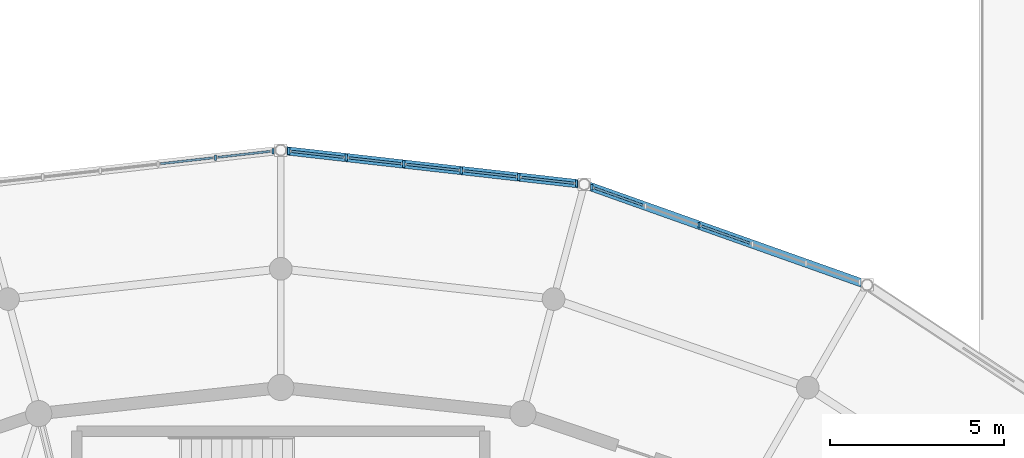
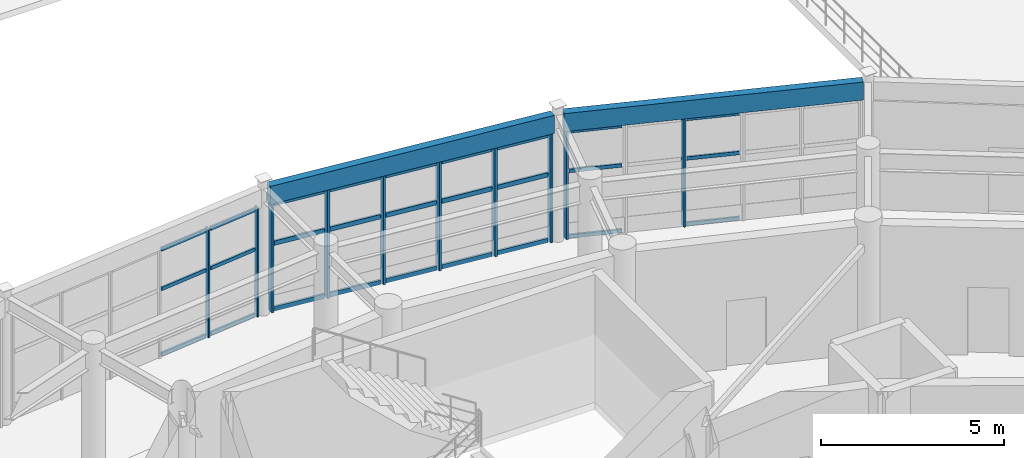
# One storey, part 24 of 60: 37 members, 2 beams, 3 elements without a shape of their own.
"""IFC4 building model written with IfcOpenShell, lengths in metres."""

import ifcopenshell
import ifcopenshell.guid

model = None  # the IFC model being written
_history = None  # IfcOwnerHistory: only IFC2X3 demands one
_inside = {}  # id of a spatial element -> (the spatial element, [elements in it])
_under = {}  # id of a project, library or spatial element -> (it, [spatial elements below it])
_declared = {}  # id of a project -> (the project, [libraries it declares])
_typed = {}  # id of a type object -> (the type object, [elements of that type])
_made_of = {}  # id of a material, layer set ... -> (it, [elements and type objects made of it])


def new_model(schema):
    """Start an empty IFC model of exactly this schema.

    Asked for "IFC4X3", IfcOpenShell would pick the latest addendum, in which some entities
    have other attributes; the version numbers below select the first issue.
    IFC2X3 requires an IfcOwnerHistory on every rooted entity: one is made here for all.
    """
    global model, _history
    if schema == "IFC4X3":
        model = ifcopenshell.file(schema_version=(4, 3, 0, 0))
    else:
        model = ifcopenshell.file(schema=schema)
    _inside.clear()
    _under.clear()
    _declared.clear()
    _typed.clear()
    _made_of.clear()
    _history = None
    if model.schema == "IFC2X3":
        org = make("IfcOrganization", Name="unknown")
        user = make(
            "IfcPersonAndOrganization",
            ThePerson=make("IfcPerson", FamilyName="unknown"),
            TheOrganization=org,
        )
        app = make(
            "IfcApplication",
            ApplicationDeveloper=org,
            Version="unknown",
            ApplicationFullName="unknown",
            ApplicationIdentifier="unknown",
        )
        _history = make(
            "IfcOwnerHistory",
            OwningUser=user,
            OwningApplication=app,
            ChangeAction="ADDED",
            CreationDate=0,
        )
    return model


def make(cls, **values):
    """One entity of the class cls with the attributes given. An attribute that is None is left unset."""
    return model.create_entity(
        cls, **{name: value for name, value in values.items() if value is not None}
    )


def rooted(cls, **values):
    """An entity with a GlobalId (a new one), such as an element, a storey or a relation."""
    return make(cls, GlobalId=ifcopenshell.guid.new(), OwnerHistory=_history, **values)


def si_unit(unit_type, name, prefix=None):
    """IfcSIUnit, for example si_unit("LENGTHUNIT", "METRE", prefix="MILLI")."""
    return make("IfcSIUnit", UnitType=unit_type, Prefix=prefix, Name=name)


def assignment(units):
    """IfcUnitAssignment: the units of a project."""
    return None if units is None else make("IfcUnitAssignment", Units=units)


def point(xyz):
    """IfcCartesianPoint."""
    return None if xyz is None else make("IfcCartesianPoint", Coordinates=xyz)


def direction(xyz):
    """IfcDirection."""
    return None if xyz is None else make("IfcDirection", DirectionRatios=xyz)


def frame(location, z_axis=None, x_axis=None):
    """IfcAxis2Placement3D, a coordinate frame: its origin and axes. An axis left out is left unset."""
    return make(
        "IfcAxis2Placement3D",
        Location=point(location),
        Axis=direction(z_axis),
        RefDirection=direction(x_axis),
    )


def frame_2d(location, x_axis=None):
    """IfcAxis2Placement2D, a coordinate frame in the plane: its origin and x axis."""
    return make(
        "IfcAxis2Placement2D", Location=point(location), RefDirection=direction(x_axis)
    )


def origin():
    """The frame at (0, 0, 0) with its axes left unset."""
    return frame((0.0, 0.0, 0.0))


def origin_2d():
    """The frame at (0, 0) in the plane with its x axis left unset."""
    return frame_2d((0.0, 0.0))


def place(relative_to, where):
    """IfcLocalPlacement: puts the frame where relative to a parent placement (None: the world)."""
    return make(
        "IfcLocalPlacement", PlacementRelTo=relative_to, RelativePlacement=where
    )


def context(
    kind, dimensions, precision=None, world=None, true_north=None, identifier=None
):
    """IfcGeometricRepresentationContext, for example the 3D "Model" context."""
    return make(
        "IfcGeometricRepresentationContext",
        ContextIdentifier=identifier,
        ContextType=kind,
        CoordinateSpaceDimension=dimensions,
        Precision=precision,
        WorldCoordinateSystem=world,
        TrueNorth=true_north,
    )


def subcontext(parent, identifier, kind, view, scale=None):
    """IfcGeometricRepresentationSubContext, for example "Body" below "Model"."""
    return make(
        "IfcGeometricRepresentationSubContext",
        ContextIdentifier=identifier,
        ContextType=kind,
        ParentContext=parent,
        TargetScale=scale,
        TargetView=view,
    )


def project(units=None, contexts=None):
    """IfcProject with its units and contexts."""
    return rooted(
        "IfcProject",
        Name="project",
        RepresentationContexts=contexts,
        UnitsInContext=assignment(units),
    )


def spatial(cls, under=None, at=None, **own):
    """A site, building, storey or space (cls), placed at a placement, below another one or the project."""
    s = rooted(cls, ObjectPlacement=at, **own)
    if under is not None:
        _under.setdefault(under.id(), (under, []))[1].append(s)
    return s


def profile(cls, at=None, kind="AREA", **sizes):
    """A parametric profile (cls). Its sizes go by their IFC names, for example OverallWidth=200.0."""
    return make(cls, ProfileType=kind, Position=at, **sizes)


def rectangle(**sizes):
    """IfcRectangleProfileDef."""
    return profile("IfcRectangleProfileDef", **sizes)


def extrude(swept, where, along, depth):
    """IfcExtrudedAreaSolid: the profile swept, set in the frame where, extruded along a direction by depth."""
    return make(
        "IfcExtrudedAreaSolid",
        SweptArea=swept,
        Position=where,
        ExtrudedDirection=direction(along),
        Depth=depth,
    )


def shape(context_of_items, identifier, shape_type, items):
    """IfcShapeRepresentation: the items that make up one representation, for example the "Body"."""
    return make(
        "IfcShapeRepresentation",
        ContextOfItems=context_of_items,
        RepresentationIdentifier=identifier,
        RepresentationType=shape_type,
        Items=items,
    )


def material(Name=None, Category=None):
    """IfcMaterial."""
    return make("IfcMaterial", Name=Name, Category=Category)


def material_profile(
    of_material, cross_section, Name=None, Category=None, Priority=None
):
    """IfcMaterialProfile: a cross section and its material."""
    return make(
        "IfcMaterialProfile",
        Name=Name,
        Material=of_material,
        Profile=cross_section,
        Priority=Priority,
        Category=Category,
    )


def profile_set(profiles, Name=None, composite=None):
    """IfcMaterialProfileSet."""
    return make(
        "IfcMaterialProfileSet",
        Name=Name,
        MaterialProfiles=profiles,
        CompositeProfile=composite,
    )


def made_of(thing, what):
    """Note that an element or type object is made of a material, layer set ...; save() writes the relation."""
    if what is not None:
        _made_of.setdefault(what.id(), (what, []))[1].append(thing)
    return thing


def type_object(cls, material=None, **own):
    """A type object (cls), such as IfcWallType, which elements share."""
    return made_of(rooted(cls, **own), material)


def element(
    cls,
    number,
    at=None,
    inside=None,
    cuts=None,
    type_object=None,
    material=None,
    context=None,
    identifier="Body",
    shape_type=None,
    held_by="IfcProductDefinitionShape",
    body=None,
    shapes=None,
    **own,
):
    """One element of the class cls, such as IfcWall. Its Tag is "e" and its number.

    at: its placement. inside: the storey or other place that contains it. cuts: it is an
    opening in that element (IfcRelVoidsElement). A single representation is given by context,
    identifier, shape_type and body (its items); several are given by shapes. held_by: the class
    of the entity that holds the representations. save() writes the other relations.
    """
    e = rooted(cls, Tag="e%d" % number, ObjectPlacement=at, **own)
    if body is not None:
        shapes = [shape(context, identifier, shape_type, body)]
    if shapes is not None:
        e.Representation = make(held_by, Representations=shapes)
    if inside is not None:
        _inside.setdefault(inside.id(), (inside, []))[1].append(e)
    if cuts is not None:
        rooted(
            "IfcRelVoidsElement", RelatingBuildingElement=cuts, RelatedOpeningElement=e
        )
    if type_object is not None:
        _typed.setdefault(type_object.id(), (type_object, []))[1].append(e)
    return made_of(e, material)


def aggregate(whole, parts):
    """IfcRelAggregates: a whole, such as a stair, and the parts it consists of."""
    return rooted("IfcRelAggregates", RelatingObject=whole, RelatedObjects=parts)


def save(model, path):
    """Write the relations noted so far, then the file.

    IfcRelAggregates (storeys below a building ...), IfcRelContainedInSpatialStructure (elements
    in a storey), IfcRelDefinesByType, IfcRelAssociatesMaterial and IfcRelDeclares: one each for
    every whole, place, type object, material and project.
    """
    for whole, parts in _under.values():
        aggregate(whole, parts)
    for where, things in _inside.values():
        rooted(
            "IfcRelContainedInSpatialStructure",
            RelatedElements=things,
            RelatingStructure=where,
        )
    for kind, things in _typed.values():
        rooted("IfcRelDefinesByType", RelatedObjects=things, RelatingType=kind)
    for what, things in _made_of.values():
        rooted("IfcRelAssociatesMaterial", RelatedObjects=things, RelatingMaterial=what)
    for by, libraries in _declared.values():
        rooted("IfcRelDeclares", RelatingContext=by, RelatedDefinitions=libraries)
    model.write(path)


model = new_model("IFC4")

# Units and contexts
model_context = context("Model", 3, precision=1e-05, world=origin(), true_north=direction((0.0, 1.0)))
body_context = subcontext(model_context, "Body", "Model", "MODEL_VIEW")
ifc_project = project(units=[si_unit("LENGTHUNIT", "METRE"), si_unit("AREAUNIT", "SQUARE_METRE"), si_unit("VOLUMEUNIT", "CUBIC_METRE"), si_unit("PLANEANGLEUNIT", "RADIAN"), si_unit("MASSUNIT", "GRAM", prefix="KILO")], contexts=[model_context])

# Site, building, storey
site_placement = place(None, origin())
site = spatial("IfcSite", under=ifc_project, at=site_placement, CompositionType="ELEMENT")
building_placement = place(site_placement, origin())
building = spatial("IfcBuilding", under=site, at=building_placement, Name="Cinderbank Siding Concert Hall", CompositionType="ELEMENT")
storey_placement = place(building_placement, frame((0.0, 0.0, 14.699951171875)))
storey = spatial("IfcBuildingStorey", under=building, at=storey_placement, Name="L04", CompositionType="ELEMENT", Elevation=14.699951171875)

# Curtain wall, members
ifc_material_1 = material(Name="Anodised aluminium alloy 6063-T6", Category="aluminium")
curtain_wall_type_1 = type_object("IfcCurtainWallType", Name="CW-05 Unitised Acoustic Curtain Wall 8200x3800", PredefinedType="NOTDEFINED", material=ifc_material_1)
curtain_wall_1_placement = place(storey_placement, origin())
curtain_wall_1 = element("IfcCurtainWall", 1, at=curtain_wall_1_placement, inside=storey, type_object=curtain_wall_type_1, Name="L04 Curtain Wall CW-05 #52", PredefinedType="NOTDEFINED")
ifc_material_profile_1 = material_profile(ifc_material_1, rectangle(XDim=0.06005859375, YDim=0.159912109375, at=origin_2d()), Name="ALU-MULL-60x160", Category="LoadBearing")
ifc_profile_set_1 = profile_set([ifc_material_profile_1], Name="Anodised aluminium alloy 6063-T6")
member_type_1 = type_object("IfcMemberType", Name="CW-ML1 Mullion 60x160", PredefinedType="MULLION", material=ifc_profile_set_1)
member_1_placement = place(storey_placement, frame((133.980712890625, 70.652587890625, 0.0), z_axis=(0.0, 0.0, 1.0), x_axis=(1.0, 0.0, 0.0)))
member_1 = element("IfcMember", 2, at=member_1_placement, type_object=member_type_1, Name="CW-L04-052 Mullion 3", PredefinedType="MULLION", context=body_context, shape_type="SweptSolid", body=[
    extrude(rectangle(XDim=0.06005859375, YDim=0.159912109375, at=origin_2d()), origin(), (0.0, 0.0, 1.0), 3.616943359375),
])
member_2_placement = place(storey_placement, frame((130.91015625, 71.742919921875, 0.0), z_axis=(0.0, 0.0, 1.0), x_axis=(1.0, 0.0, 0.0)))
member_2 = element("IfcMember", 3, at=member_2_placement, type_object=member_type_1, Name="CW-L04-052 Mullion 5", PredefinedType="MULLION", context=body_context, shape_type="SweptSolid", body=[
    extrude(rectangle(XDim=0.06005859375, YDim=0.159912109375, at=origin_2d()), origin(), (0.0, 0.0, 1.0), 3.616943359375),
])

curtain_wall_type_2 = type_object("IfcCurtainWallType", Name="CW-07 Unitised Acoustic Curtain Wall 7000x3800", PredefinedType="NOTDEFINED", material=ifc_material_1)
curtain_wall_2_placement = place(storey_placement, origin())
curtain_wall_2 = element("IfcCurtainWall", 4, at=curtain_wall_2_placement, inside=storey, type_object=curtain_wall_type_2, Name="L04 Curtain Wall CW-07 #54", PredefinedType="NOTDEFINED")
member_3_placement = place(storey_placement, frame((121.7744140625, 72.774658203125, 0.0), z_axis=(0.0, 0.0, 1.0), x_axis=(1.0, 0.0, 0.0)))
member_3 = element("IfcMember", 5, at=member_3_placement, type_object=member_type_1, Name="CW-L04-054 Mullion 0", PredefinedType="MULLION", context=body_context, shape_type="SweptSolid", body=[
    extrude(rectangle(XDim=0.06005859375, YDim=0.159912109375, at=origin_2d()), origin(), (0.0, 0.0, 1.0), 3.616943359375),
])
member_4_placement = place(storey_placement, frame((120.12548828125, 72.58837890625, 0.0), z_axis=(0.0, 0.0, 1.0), x_axis=(1.0, 0.0, 0.0)))
member_4 = element("IfcMember", 6, at=member_4_placement, type_object=member_type_1, Name="CW-L04-054 Mullion 1", PredefinedType="MULLION", context=body_context, shape_type="SweptSolid", body=[
    extrude(rectangle(XDim=0.06005859375, YDim=0.159912109375, at=origin_2d()), origin(), (0.0, 0.0, 1.0), 3.616943359375),
])

curtain_wall_type_3 = type_object("IfcCurtainWallType", Name="CW-06 Unitised Acoustic Curtain Wall 7600x3800", PredefinedType="NOTDEFINED", material=ifc_material_1)
curtain_wall_3_placement = place(storey_placement, origin())
curtain_wall_3 = element("IfcCurtainWall", 7, at=curtain_wall_3_placement, inside=storey, type_object=curtain_wall_type_3, Name="L04 Curtain Wall CW-06 #53", PredefinedType="NOTDEFINED")
ifc_material_profile_2 = material_profile(ifc_material_1, rectangle(XDim=0.06494140625, YDim=0.199951171875, at=origin_2d()), Name="ALU-MULL-65x200", Category="LoadBearing")
ifc_profile_set_2 = profile_set([ifc_material_profile_2], Name="Anodised aluminium alloy 6063-T6")
member_type_2 = type_object("IfcMemberType", Name="CW-ML2 Mullion 65x200", PredefinedType="MULLION", material=ifc_profile_set_2)
member_5_placement = place(storey_placement, frame((130.470703125, 71.843994140625, 0.0), z_axis=(0.0, 0.0, 1.0), x_axis=(1.0, 0.0, 0.0)))
member_5 = element("IfcMember", 8, at=member_5_placement, type_object=member_type_2, Name="CW-L04-053 Mullion 0", PredefinedType="MULLION", context=body_context, shape_type="SweptSolid", body=[
    extrude(rectangle(XDim=0.06494140625, YDim=0.199951171875, at=origin_2d()), origin(), (0.0, 0.0, 1.0), 3.616943359375),
])
member_6_placement = place(storey_placement, frame((128.82177734375, 72.0302734375, 0.0), z_axis=(0.0, 0.0, 1.0), x_axis=(1.0, 0.0, 0.0)))
member_6 = element("IfcMember", 9, at=member_6_placement, type_object=member_type_2, Name="CW-L04-053 Mullion 1", PredefinedType="MULLION", context=body_context, shape_type="SweptSolid", body=[
    extrude(rectangle(XDim=0.06494140625, YDim=0.199951171875, at=origin_2d()), origin(), (0.0, 0.0, 1.0), 3.616943359375),
])
member_7_placement = place(storey_placement, frame((127.172607421875, 72.21630859375, 0.0), z_axis=(0.0, 0.0, 1.0), x_axis=(1.0, 0.0, 0.0)))
member_7 = element("IfcMember", 10, at=member_7_placement, type_object=member_type_2, Name="CW-L04-053 Mullion 2", PredefinedType="MULLION", context=body_context, shape_type="SweptSolid", body=[
    extrude(rectangle(XDim=0.06494140625, YDim=0.199951171875, at=origin_2d()), origin(), (0.0, 0.0, 1.0), 3.616943359375),
])
member_8_placement = place(storey_placement, frame((125.523681640625, 72.40234375, 0.0), z_axis=(0.0, 0.0, 1.0), x_axis=(1.0, 0.0, 0.0)))
member_8 = element("IfcMember", 11, at=member_8_placement, type_object=member_type_2, Name="CW-L04-053 Mullion 3", PredefinedType="MULLION", context=body_context, shape_type="SweptSolid", body=[
    extrude(rectangle(XDim=0.06494140625, YDim=0.199951171875, at=origin_2d()), origin(), (0.0, 0.0, 1.0), 3.616943359375),
])
member_9_placement = place(storey_placement, frame((123.87451171875, 72.58837890625, 0.0), z_axis=(0.0, 0.0, 1.0), x_axis=(1.0, 0.0, 0.0)))
member_9 = element("IfcMember", 12, at=member_9_placement, type_object=member_type_2, Name="CW-L04-053 Mullion 4", PredefinedType="MULLION", context=body_context, shape_type="SweptSolid", body=[
    extrude(rectangle(XDim=0.06494140625, YDim=0.199951171875, at=origin_2d()), origin(), (0.0, 0.0, 1.0), 3.616943359375),
])
member_10_placement = place(storey_placement, frame((122.2255859375, 72.774658203125, 0.0), z_axis=(0.0, 0.0, 1.0), x_axis=(1.0, 0.0, 0.0)))
member_10 = element("IfcMember", 13, at=member_10_placement, type_object=member_type_2, Name="CW-L04-053 Mullion 5", PredefinedType="MULLION", context=body_context, shape_type="SweptSolid", body=[
    extrude(rectangle(XDim=0.06494140625, YDim=0.199951171875, at=origin_2d()), origin(), (0.0, 0.0, 1.0), 3.616943359375),
])

# Member
ifc_material_profile_3 = material_profile(ifc_material_1, rectangle(XDim=0.06005859375, YDim=0.1201171875, at=origin_2d()), Name="ALU-TRAN-60x120", Category="LoadBearing")
ifc_profile_set_3 = profile_set([ifc_material_profile_3], Name="Anodised aluminium alloy 6063-T6")
member_type_3 = type_object("IfcMemberType", Name="CW-TR1 Transom 60x120", PredefinedType="USERDEFINED", material=ifc_profile_set_3)
member_11_placement = place(storey_placement, frame((135.43896484375, 70.134765625, 0.06005859375), z_axis=(-0.942324434865, 0.334700850694, 0.0), x_axis=(-0.334700850694, -0.942324434865, 0.0)))
member_11 = element("IfcMember", 14, at=member_11_placement, type_object=member_type_3, Name="CW-L04-052 Transom 2-0", ObjectType="TRANSOM", PredefinedType="USERDEFINED", context=body_context, shape_type="SweptSolid", body=[
    extrude(rectangle(XDim=0.06005859375, YDim=0.1201171875, at=origin_2d()), origin(), (0.0, 0.0, 1.0), 1.466064453125),
])

member_12_placement = place(storey_placement, frame((135.43896484375, 70.134765625, 2.242431640625), z_axis=(-0.942324434865, 0.334700850694, 0.0), x_axis=(-0.334700850694, -0.942324434865, 0.0)))
member_12 = element("IfcMember", 15, at=member_12_placement, type_object=member_type_3, Name="CW-L04-052 Transom 2-1", ObjectType="TRANSOM", PredefinedType="USERDEFINED", context=body_context, shape_type="SweptSolid", body=[
    extrude(rectangle(XDim=0.06005859375, YDim=0.1201171875, at=origin_2d()), origin(), (0.0, 0.0, 1.0), 1.466064453125),
])

member_13_placement = place(storey_placement, frame((135.43896484375, 70.134765625, 3.55712890625), z_axis=(-0.942324434865, 0.334700850694, 0.0), x_axis=(-0.334700850694, -0.942324434865, 0.0)))
member_13 = element("IfcMember", 16, at=member_13_placement, type_object=member_type_3, Name="CW-L04-052 Transom 2-2", ObjectType="TRANSOM", PredefinedType="USERDEFINED", context=body_context, shape_type="SweptSolid", body=[
    extrude(rectangle(XDim=0.06005859375, YDim=0.1201171875, at=origin_2d()), origin(), (0.0, 0.0, 1.0), 1.466064453125),
])

member_14_placement = place(storey_placement, frame((132.36865234375, 71.22509765625, 0.06005859375), z_axis=(-0.942395579657, 0.334500480482, 0.0), x_axis=(-0.334500480482, -0.942395579657, 0.0)))
member_14 = element("IfcMember", 17, at=member_14_placement, type_object=member_type_3, Name="CW-L04-052 Transom 4-0", ObjectType="TRANSOM", PredefinedType="USERDEFINED", context=body_context, shape_type="SweptSolid", body=[
    extrude(rectangle(XDim=0.06005859375, YDim=0.1201171875, at=origin_2d()), origin(), (0.0, 0.0, 1.0), 1.46630859375),
])

member_15_placement = place(storey_placement, frame((132.36865234375, 71.22509765625, 2.242431640625), z_axis=(-0.942395579657, 0.334500480482, 0.0), x_axis=(-0.334500480482, -0.942395579657, 0.0)))
member_15 = element("IfcMember", 18, at=member_15_placement, type_object=member_type_3, Name="CW-L04-052 Transom 4-1", ObjectType="TRANSOM", PredefinedType="USERDEFINED", context=body_context, shape_type="SweptSolid", body=[
    extrude(rectangle(XDim=0.06005859375, YDim=0.1201171875, at=origin_2d()), origin(), (0.0, 0.0, 1.0), 1.46630859375),
])

member_16_placement = place(storey_placement, frame((132.36865234375, 71.22509765625, 3.55712890625), z_axis=(-0.942395579657, 0.334500480482, 0.0), x_axis=(-0.334500480482, -0.942395579657, 0.0)))
member_16 = element("IfcMember", 19, at=member_16_placement, type_object=member_type_3, Name="CW-L04-052 Transom 4-2", ObjectType="TRANSOM", PredefinedType="USERDEFINED", context=body_context, shape_type="SweptSolid", body=[
    extrude(rectangle(XDim=0.06005859375, YDim=0.1201171875, at=origin_2d()), origin(), (0.0, 0.0, 1.0), 1.46630859375),
])

aggregate(curtain_wall_1, [member_1, member_2, member_11, member_12, member_13, member_14, member_15, member_16])

member_17_placement = place(storey_placement, frame((121.69189453125, 72.76513671875, 0.06005859375), z_axis=(-0.993709046729, -0.111992546398, 0.0), x_axis=(0.111992546398, -0.993709046729, 0.0)))
member_17 = element("IfcMember", 20, at=member_17_placement, type_object=member_type_3, Name="CW-L04-054 Transom 0-0", ObjectType="TRANSOM", PredefinedType="USERDEFINED", context=body_context, shape_type="SweptSolid", body=[
    extrude(rectangle(XDim=0.06005859375, YDim=0.1201171875, at=origin_2d()), origin(), (0.0, 0.0, 1.0), 1.4931640625),
])

member_18_placement = place(storey_placement, frame((121.69189453125, 72.76513671875, 2.242431640625), z_axis=(-0.993709046729, -0.111992546398, 0.0), x_axis=(0.111992546398, -0.993709046729, 0.0)))
member_18 = element("IfcMember", 21, at=member_18_placement, type_object=member_type_3, Name="CW-L04-054 Transom 0-1", ObjectType="TRANSOM", PredefinedType="USERDEFINED", context=body_context, shape_type="SweptSolid", body=[
    extrude(rectangle(XDim=0.06005859375, YDim=0.1201171875, at=origin_2d()), origin(), (0.0, 0.0, 1.0), 1.4931640625),
])

member_19_placement = place(storey_placement, frame((121.69189453125, 72.76513671875, 3.55712890625), z_axis=(-0.993709046729, -0.111992546398, 0.0), x_axis=(0.111992546398, -0.993709046729, 0.0)))
member_19 = element("IfcMember", 22, at=member_19_placement, type_object=member_type_3, Name="CW-L04-054 Transom 0-2", ObjectType="TRANSOM", PredefinedType="USERDEFINED", context=body_context, shape_type="SweptSolid", body=[
    extrude(rectangle(XDim=0.06005859375, YDim=0.1201171875, at=origin_2d()), origin(), (0.0, 0.0, 1.0), 1.4931640625),
])

member_20_placement = place(storey_placement, frame((120.04296875, 72.5791015625, 0.06005859375), z_axis=(-0.993692895122, -0.112135766747, 0.0), x_axis=(0.112135766747, -0.993692895122, 0.0)))
member_20 = element("IfcMember", 23, at=member_20_placement, type_object=member_type_3, Name="CW-L04-054 Transom 1-0", ObjectType="TRANSOM", PredefinedType="USERDEFINED", context=body_context, shape_type="SweptSolid", body=[
    extrude(rectangle(XDim=0.06005859375, YDim=0.1201171875, at=origin_2d()), origin(), (0.0, 0.0, 1.0), 1.49365234375),
])

member_21_placement = place(storey_placement, frame((120.04296875, 72.5791015625, 2.242431640625), z_axis=(-0.993692895122, -0.112135766747, 0.0), x_axis=(0.112135766747, -0.993692895122, 0.0)))
member_21 = element("IfcMember", 24, at=member_21_placement, type_object=member_type_3, Name="CW-L04-054 Transom 1-1", ObjectType="TRANSOM", PredefinedType="USERDEFINED", context=body_context, shape_type="SweptSolid", body=[
    extrude(rectangle(XDim=0.06005859375, YDim=0.1201171875, at=origin_2d()), origin(), (0.0, 0.0, 1.0), 1.49365234375),
])

member_22_placement = place(storey_placement, frame((120.04296875, 72.5791015625, 3.55712890625), z_axis=(-0.993692895122, -0.112135766747, 0.0), x_axis=(0.112135766747, -0.993692895122, 0.0)))
member_22 = element("IfcMember", 25, at=member_22_placement, type_object=member_type_3, Name="CW-L04-054 Transom 1-2", ObjectType="TRANSOM", PredefinedType="USERDEFINED", context=body_context, shape_type="SweptSolid", body=[
    extrude(rectangle(XDim=0.06005859375, YDim=0.1201171875, at=origin_2d()), origin(), (0.0, 0.0, 1.0), 1.49365234375),
])

aggregate(curtain_wall_2, [member_3, member_4, member_17, member_18, member_19, member_20, member_21, member_22])

ifc_material_profile_4 = material_profile(ifc_material_1, rectangle(XDim=0.06494140625, YDim=0.14990234375, at=origin_2d()), Name="ALU-TRAN-65x150", Category="LoadBearing")
ifc_profile_set_4 = profile_set([ifc_material_profile_4], Name="Anodised aluminium alloy 6063-T6")
member_type_4 = type_object("IfcMemberType", Name="CW-TR2 Transom 65x150", PredefinedType="USERDEFINED", material=ifc_profile_set_4)
member_23_placement = place(storey_placement, frame((130.38818359375, 71.853515625, 0.06005859375), z_axis=(-0.993690839164, 0.112153984151, 0.0), x_axis=(-0.112153984151, -0.993690839164, 0.0)))
member_23 = element("IfcMember", 26, at=member_23_placement, type_object=member_type_4, Name="CW-L04-053 Transom 0-0", ObjectType="TRANSOM", PredefinedType="USERDEFINED", context=body_context, shape_type="SweptSolid", body=[
    extrude(rectangle(XDim=0.06494140625, YDim=0.14990234375, at=origin_2d()), origin(), (0.0, 0.0, 1.0), 1.493408203125),
])

member_24_placement = place(storey_placement, frame((130.38818359375, 71.853515625, 2.242431640625), z_axis=(-0.993690839164, 0.112153984151, 0.0), x_axis=(-0.112153984151, -0.993690839164, 0.0)))
member_24 = element("IfcMember", 27, at=member_24_placement, type_object=member_type_4, Name="CW-L04-053 Transom 0-1", ObjectType="TRANSOM", PredefinedType="USERDEFINED", context=body_context, shape_type="SweptSolid", body=[
    extrude(rectangle(XDim=0.06494140625, YDim=0.14990234375, at=origin_2d()), origin(), (0.0, 0.0, 1.0), 1.493408203125),
])

member_25_placement = place(storey_placement, frame((130.38818359375, 71.853515625, 3.55712890625), z_axis=(-0.993690839164, 0.112153984151, 0.0), x_axis=(-0.112153984151, -0.993690839164, 0.0)))
member_25 = element("IfcMember", 28, at=member_25_placement, type_object=member_type_4, Name="CW-L04-053 Transom 0-2", ObjectType="TRANSOM", PredefinedType="USERDEFINED", context=body_context, shape_type="SweptSolid", body=[
    extrude(rectangle(XDim=0.06494140625, YDim=0.14990234375, at=origin_2d()), origin(), (0.0, 0.0, 1.0), 1.493408203125),
])

member_26_placement = place(storey_placement, frame((128.7392578125, 72.03955078125, 0.06005859375), z_axis=(-0.993692895122, 0.112135766747, 0.0), x_axis=(-0.112135766747, -0.993692895122, 0.0)))
member_26 = element("IfcMember", 29, at=member_26_placement, type_object=member_type_4, Name="CW-L04-053 Transom 1-0", ObjectType="TRANSOM", PredefinedType="USERDEFINED", context=body_context, shape_type="SweptSolid", body=[
    extrude(rectangle(XDim=0.06494140625, YDim=0.14990234375, at=origin_2d()), origin(), (0.0, 0.0, 1.0), 1.49365234375),
])

member_27_placement = place(storey_placement, frame((128.7392578125, 72.03955078125, 2.242431640625), z_axis=(-0.993692895122, 0.112135766747, 0.0), x_axis=(-0.112135766747, -0.993692895122, 0.0)))
member_27 = element("IfcMember", 30, at=member_27_placement, type_object=member_type_4, Name="CW-L04-053 Transom 1-1", ObjectType="TRANSOM", PredefinedType="USERDEFINED", context=body_context, shape_type="SweptSolid", body=[
    extrude(rectangle(XDim=0.06494140625, YDim=0.14990234375, at=origin_2d()), origin(), (0.0, 0.0, 1.0), 1.49365234375),
])

member_28_placement = place(storey_placement, frame((128.7392578125, 72.03955078125, 3.55712890625), z_axis=(-0.993692895122, 0.112135766747, 0.0), x_axis=(-0.112135766747, -0.993692895122, 0.0)))
member_28 = element("IfcMember", 31, at=member_28_placement, type_object=member_type_4, Name="CW-L04-053 Transom 1-2", ObjectType="TRANSOM", PredefinedType="USERDEFINED", context=body_context, shape_type="SweptSolid", body=[
    extrude(rectangle(XDim=0.06494140625, YDim=0.14990234375, at=origin_2d()), origin(), (0.0, 0.0, 1.0), 1.49365234375),
])

member_29_placement = place(storey_placement, frame((127.090087890625, 72.2255859375, 0.06005859375), z_axis=(-0.993690839164, 0.112153984151, 0.0), x_axis=(-0.112153984151, -0.993690839164, 0.0)))
member_29 = element("IfcMember", 32, at=member_29_placement, type_object=member_type_4, Name="CW-L04-053 Transom 2-0", ObjectType="TRANSOM", PredefinedType="USERDEFINED", context=body_context, shape_type="SweptSolid", body=[
    extrude(rectangle(XDim=0.06494140625, YDim=0.14990234375, at=origin_2d()), origin(), (0.0, 0.0, 1.0), 1.493408203125),
])

member_30_placement = place(storey_placement, frame((127.090087890625, 72.2255859375, 2.242431640625), z_axis=(-0.993690839164, 0.112153984151, 0.0), x_axis=(-0.112153984151, -0.993690839164, 0.0)))
member_30 = element("IfcMember", 33, at=member_30_placement, type_object=member_type_4, Name="CW-L04-053 Transom 2-1", ObjectType="TRANSOM", PredefinedType="USERDEFINED", context=body_context, shape_type="SweptSolid", body=[
    extrude(rectangle(XDim=0.06494140625, YDim=0.14990234375, at=origin_2d()), origin(), (0.0, 0.0, 1.0), 1.493408203125),
])

member_31_placement = place(storey_placement, frame((127.090087890625, 72.2255859375, 3.55712890625), z_axis=(-0.993690839164, 0.112153984151, 0.0), x_axis=(-0.112153984151, -0.993690839164, 0.0)))
member_31 = element("IfcMember", 34, at=member_31_placement, type_object=member_type_4, Name="CW-L04-053 Transom 2-2", ObjectType="TRANSOM", PredefinedType="USERDEFINED", context=body_context, shape_type="SweptSolid", body=[
    extrude(rectangle(XDim=0.06494140625, YDim=0.14990234375, at=origin_2d()), origin(), (0.0, 0.0, 1.0), 1.493408203125),
])

member_32_placement = place(storey_placement, frame((125.441162109375, 72.41162109375, 0.06005859375), z_axis=(-0.993692895122, 0.112135766747, 0.0), x_axis=(-0.112135766747, -0.993692895122, 0.0)))
member_32 = element("IfcMember", 35, at=member_32_placement, type_object=member_type_4, Name="CW-L04-053 Transom 3-0", ObjectType="TRANSOM", PredefinedType="USERDEFINED", context=body_context, shape_type="SweptSolid", body=[
    extrude(rectangle(XDim=0.06494140625, YDim=0.14990234375, at=origin_2d()), origin(), (0.0, 0.0, 1.0), 1.49365234375),
])

member_33_placement = place(storey_placement, frame((125.441162109375, 72.41162109375, 2.242431640625), z_axis=(-0.993692895122, 0.112135766747, 0.0), x_axis=(-0.112135766747, -0.993692895122, 0.0)))
member_33 = element("IfcMember", 36, at=member_33_placement, type_object=member_type_4, Name="CW-L04-053 Transom 3-1", ObjectType="TRANSOM", PredefinedType="USERDEFINED", context=body_context, shape_type="SweptSolid", body=[
    extrude(rectangle(XDim=0.06494140625, YDim=0.14990234375, at=origin_2d()), origin(), (0.0, 0.0, 1.0), 1.49365234375),
])

member_34_placement = place(storey_placement, frame((125.441162109375, 72.41162109375, 3.55712890625), z_axis=(-0.993692895122, 0.112135766747, 0.0), x_axis=(-0.112135766747, -0.993692895122, 0.0)))
member_34 = element("IfcMember", 37, at=member_34_placement, type_object=member_type_4, Name="CW-L04-053 Transom 3-2", ObjectType="TRANSOM", PredefinedType="USERDEFINED", context=body_context, shape_type="SweptSolid", body=[
    extrude(rectangle(XDim=0.06494140625, YDim=0.14990234375, at=origin_2d()), origin(), (0.0, 0.0, 1.0), 1.49365234375),
])

member_35_placement = place(storey_placement, frame((123.7919921875, 72.597900390625, 0.06005859375), z_axis=(-0.993709046729, 0.111992546398, 0.0), x_axis=(-0.111992546398, -0.993709046729, 0.0)))
member_35 = element("IfcMember", 38, at=member_35_placement, type_object=member_type_4, Name="CW-L04-053 Transom 4-0", ObjectType="TRANSOM", PredefinedType="USERDEFINED", context=body_context, shape_type="SweptSolid", body=[
    extrude(rectangle(XDim=0.06494140625, YDim=0.14990234375, at=origin_2d()), origin(), (0.0, 0.0, 1.0), 1.4931640625),
])

member_36_placement = place(storey_placement, frame((123.7919921875, 72.597900390625, 2.242431640625), z_axis=(-0.993709046729, 0.111992546398, 0.0), x_axis=(-0.111992546398, -0.993709046729, 0.0)))
member_36 = element("IfcMember", 39, at=member_36_placement, type_object=member_type_4, Name="CW-L04-053 Transom 4-1", ObjectType="TRANSOM", PredefinedType="USERDEFINED", context=body_context, shape_type="SweptSolid", body=[
    extrude(rectangle(XDim=0.06494140625, YDim=0.14990234375, at=origin_2d()), origin(), (0.0, 0.0, 1.0), 1.4931640625),
])

member_37_placement = place(storey_placement, frame((123.7919921875, 72.597900390625, 3.55712890625), z_axis=(-0.993709046729, 0.111992546398, 0.0), x_axis=(-0.111992546398, -0.993709046729, 0.0)))
member_37 = element("IfcMember", 40, at=member_37_placement, type_object=member_type_4, Name="CW-L04-053 Transom 4-2", ObjectType="TRANSOM", PredefinedType="USERDEFINED", context=body_context, shape_type="SweptSolid", body=[
    extrude(rectangle(XDim=0.06494140625, YDim=0.14990234375, at=origin_2d()), origin(), (0.0, 0.0, 1.0), 1.4931640625),
])

aggregate(curtain_wall_3, [member_5, member_6, member_7, member_8, member_9, member_10, member_23, member_24, member_25, member_26, member_27, member_28, member_29, member_30, member_31, member_32, member_33, member_34, member_35, member_36, member_37])

# Beams
ifc_material_2 = material(Name="Spotted gum glulam timber GL18 (42 MPa)", Category="wood")
ifc_material_profile_5 = material_profile(ifc_material_2, rectangle(XDim=0.239990234375, YDim=0.60009765625, at=origin_2d()), Name="GL18-240x600", Category="LoadBearing")
ifc_profile_set_5 = profile_set([ifc_material_profile_5], Name="Spotted gum glulam timber GL18 (42 MPa)")
beam_type = type_object("IfcBeamType", Name="SP-GL600 GL18-240x600", PredefinedType="SPANDREL", material=ifc_profile_set_5)
beam_1_placement = place(storey_placement, frame((138.65478515625, 68.992919921875, 3.93212890625), z_axis=(-0.942365164676, 0.334586156924, 0.0), x_axis=(-0.334586156924, -0.942365164676, 0.0)))
element("IfcBeam", 41, at=beam_1_placement, inside=storey, type_object=beam_type, Name="L04 Beam SP-GL600 #680", PredefinedType="SPANDREL", context=body_context, shape_type="SweptSolid", body=[
    extrude(rectangle(XDim=0.239990234375, YDim=0.60009765625, at=origin_2d()), origin(), (0.0, 0.0, 1.0), 8.291259765625),
])
beam_2_placement = place(storey_placement, frame((130.543212890625, 71.8359375, 3.93212890625), z_axis=(-0.993693273547, 0.112132413281, 0.0), x_axis=(-0.112132413281, -0.993693273547, 0.0)))
element("IfcBeam", 42, at=beam_2_placement, inside=storey, type_object=beam_type, Name="L04 Beam SP-GL600 #681", PredefinedType="SPANDREL", context=body_context, shape_type="SweptSolid", body=[
    extrude(rectangle(XDim=0.239990234375, YDim=0.60009765625, at=origin_2d()), origin(), (0.0, 0.0, 1.0), 8.443359375),
])

save(model, "model.ifc")
